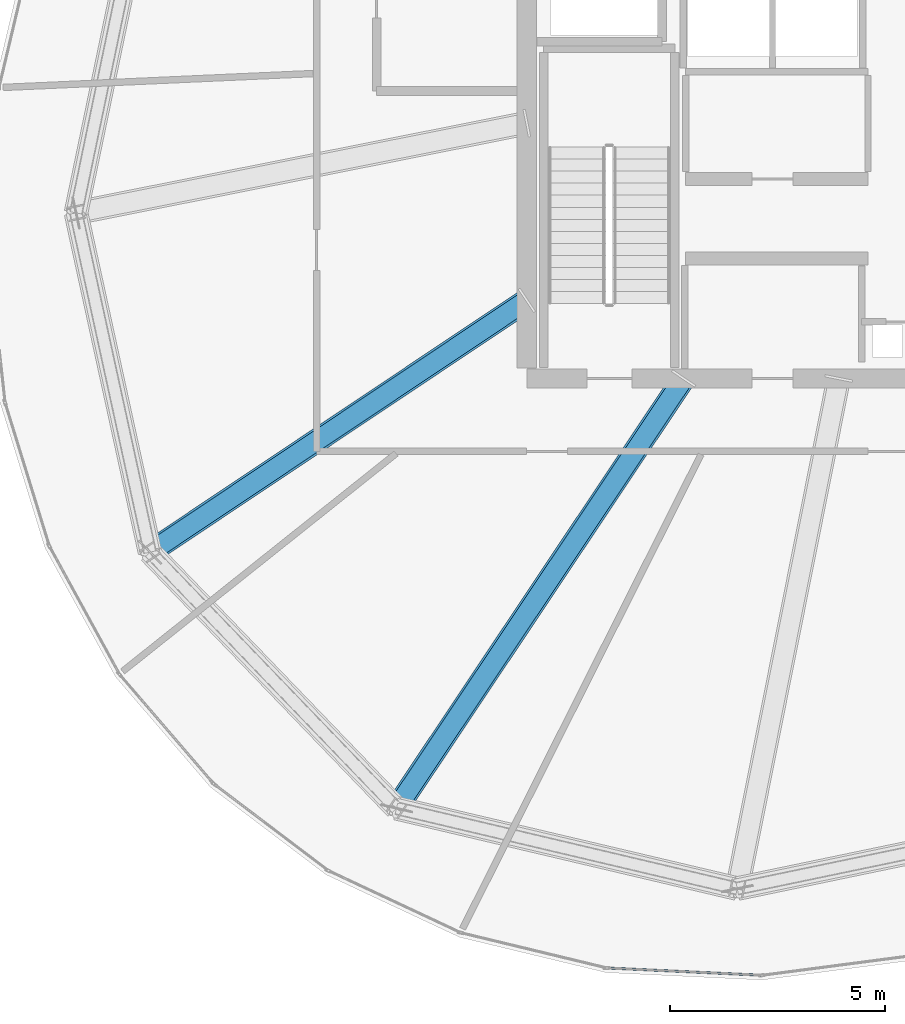
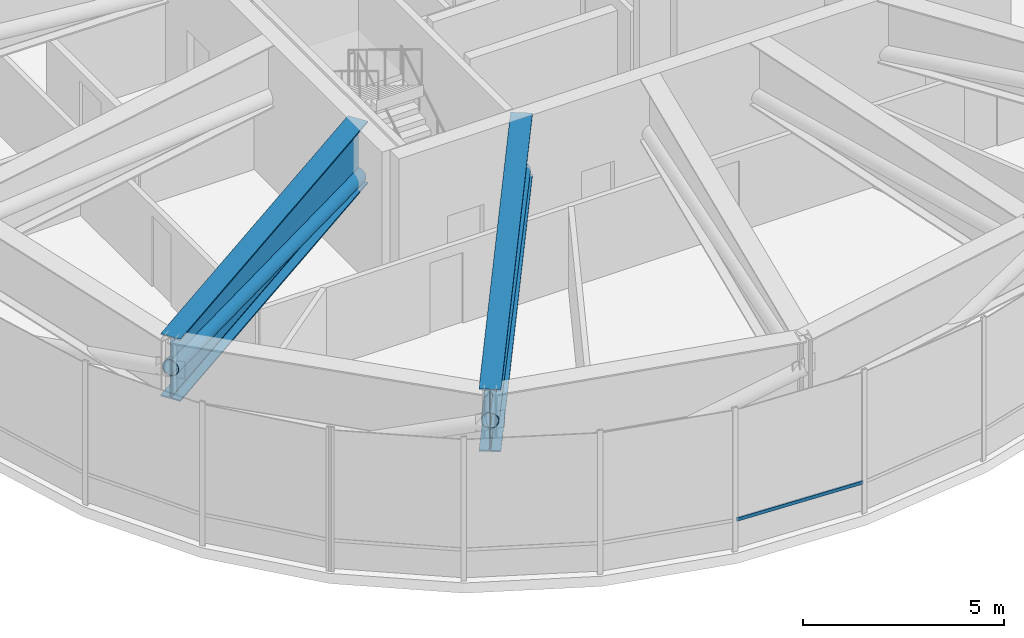
# One storey, part 5 of 26: 3 members, 2 beams, 1 element without a shape of its own.
"""IFC4 building model written with IfcOpenShell, lengths in metres."""

import ifcopenshell
import ifcopenshell.guid

model = None  # the IFC model being written
_history = None  # IfcOwnerHistory: only IFC2X3 demands one
_inside = {}  # id of a spatial element -> (the spatial element, [elements in it])
_under = {}  # id of a project, library or spatial element -> (it, [spatial elements below it])
_declared = {}  # id of a project -> (the project, [libraries it declares])
_typed = {}  # id of a type object -> (the type object, [elements of that type])
_made_of = {}  # id of a material, layer set ... -> (it, [elements and type objects made of it])


def new_model(schema):
    """Start an empty IFC model of exactly this schema.

    Asked for "IFC4X3", IfcOpenShell would pick the latest addendum, in which some entities
    have other attributes; the version numbers below select the first issue.
    IFC2X3 requires an IfcOwnerHistory on every rooted entity: one is made here for all.
    """
    global model, _history
    if schema == "IFC4X3":
        model = ifcopenshell.file(schema_version=(4, 3, 0, 0))
    else:
        model = ifcopenshell.file(schema=schema)
    _inside.clear()
    _under.clear()
    _declared.clear()
    _typed.clear()
    _made_of.clear()
    _history = None
    if model.schema == "IFC2X3":
        org = make("IfcOrganization", Name="unknown")
        user = make(
            "IfcPersonAndOrganization",
            ThePerson=make("IfcPerson", FamilyName="unknown"),
            TheOrganization=org,
        )
        app = make(
            "IfcApplication",
            ApplicationDeveloper=org,
            Version="unknown",
            ApplicationFullName="unknown",
            ApplicationIdentifier="unknown",
        )
        _history = make(
            "IfcOwnerHistory",
            OwningUser=user,
            OwningApplication=app,
            ChangeAction="ADDED",
            CreationDate=0,
        )
    return model


def make(cls, **values):
    """One entity of the class cls with the attributes given. An attribute that is None is left unset."""
    return model.create_entity(
        cls, **{name: value for name, value in values.items() if value is not None}
    )


def rooted(cls, **values):
    """An entity with a GlobalId (a new one), such as an element, a storey or a relation."""
    return make(cls, GlobalId=ifcopenshell.guid.new(), OwnerHistory=_history, **values)


def si_unit(unit_type, name, prefix=None):
    """IfcSIUnit, for example si_unit("LENGTHUNIT", "METRE", prefix="MILLI")."""
    return make("IfcSIUnit", UnitType=unit_type, Prefix=prefix, Name=name)


def assignment(units):
    """IfcUnitAssignment: the units of a project."""
    return None if units is None else make("IfcUnitAssignment", Units=units)


def point(xyz):
    """IfcCartesianPoint."""
    return None if xyz is None else make("IfcCartesianPoint", Coordinates=xyz)


def direction(xyz):
    """IfcDirection."""
    return None if xyz is None else make("IfcDirection", DirectionRatios=xyz)


def frame(location, z_axis=None, x_axis=None):
    """IfcAxis2Placement3D, a coordinate frame: its origin and axes. An axis left out is left unset."""
    return make(
        "IfcAxis2Placement3D",
        Location=point(location),
        Axis=direction(z_axis),
        RefDirection=direction(x_axis),
    )


def frame_2d(location, x_axis=None):
    """IfcAxis2Placement2D, a coordinate frame in the plane: its origin and x axis."""
    return make(
        "IfcAxis2Placement2D", Location=point(location), RefDirection=direction(x_axis)
    )


def origin():
    """The frame at (0, 0, 0) with its axes left unset."""
    return frame((0.0, 0.0, 0.0))


def origin_2d():
    """The frame at (0, 0) in the plane with its x axis left unset."""
    return frame_2d((0.0, 0.0))


def place(relative_to, where):
    """IfcLocalPlacement: puts the frame where relative to a parent placement (None: the world)."""
    return make(
        "IfcLocalPlacement", PlacementRelTo=relative_to, RelativePlacement=where
    )


def context(
    kind, dimensions, precision=None, world=None, true_north=None, identifier=None
):
    """IfcGeometricRepresentationContext, for example the 3D "Model" context."""
    return make(
        "IfcGeometricRepresentationContext",
        ContextIdentifier=identifier,
        ContextType=kind,
        CoordinateSpaceDimension=dimensions,
        Precision=precision,
        WorldCoordinateSystem=world,
        TrueNorth=true_north,
    )


def subcontext(parent, identifier, kind, view, scale=None):
    """IfcGeometricRepresentationSubContext, for example "Body" below "Model"."""
    return make(
        "IfcGeometricRepresentationSubContext",
        ContextIdentifier=identifier,
        ContextType=kind,
        ParentContext=parent,
        TargetScale=scale,
        TargetView=view,
    )


def project(units=None, contexts=None):
    """IfcProject with its units and contexts."""
    return rooted(
        "IfcProject",
        Name="project",
        RepresentationContexts=contexts,
        UnitsInContext=assignment(units),
    )


def spatial(cls, under=None, at=None, **own):
    """A site, building, storey or space (cls), placed at a placement, below another one or the project."""
    s = rooted(cls, ObjectPlacement=at, **own)
    if under is not None:
        _under.setdefault(under.id(), (under, []))[1].append(s)
    return s


def profile(cls, at=None, kind="AREA", **sizes):
    """A parametric profile (cls). Its sizes go by their IFC names, for example OverallWidth=200.0."""
    return make(cls, ProfileType=kind, Position=at, **sizes)


def hollow_rectangle(**sizes):
    """IfcRectangleHollowProfileDef."""
    return profile("IfcRectangleHollowProfileDef", **sizes)


def hollow_circle(**sizes):
    """IfcCircleHollowProfileDef."""
    return profile("IfcCircleHollowProfileDef", **sizes)


def i_section(**sizes):
    """IfcIShapeProfileDef."""
    return profile("IfcIShapeProfileDef", **sizes)


def extrude(swept, where, along, depth):
    """IfcExtrudedAreaSolid: the profile swept, set in the frame where, extruded along a direction by depth."""
    return make(
        "IfcExtrudedAreaSolid",
        SweptArea=swept,
        Position=where,
        ExtrudedDirection=direction(along),
        Depth=depth,
    )


def shape(context_of_items, identifier, shape_type, items):
    """IfcShapeRepresentation: the items that make up one representation, for example the "Body"."""
    return make(
        "IfcShapeRepresentation",
        ContextOfItems=context_of_items,
        RepresentationIdentifier=identifier,
        RepresentationType=shape_type,
        Items=items,
    )


def source(mapping_origin, context_of_items, identifier, shape_type, items):
    """IfcRepresentationMap: a shape defined once, which mapped items show again and again."""
    return make(
        "IfcRepresentationMap",
        MappingOrigin=mapping_origin,
        MappedRepresentation=shape(context_of_items, identifier, shape_type, items),
    )


def transform(
    local_origin,
    x_axis=None,
    y_axis=None,
    z_axis=None,
    scale=None,
    scale2=None,
    scale3=None,
    uniform=True,
):
    """IfcCartesianTransformationOperator3D, or its non-uniform kind. x_axis, y_axis, z_axis: its Axis1, 2, 3."""
    if uniform:
        return make(
            "IfcCartesianTransformationOperator3D",
            Axis1=direction(x_axis),
            Axis2=direction(y_axis),
            LocalOrigin=point(local_origin),
            Scale=scale,
            Axis3=direction(z_axis),
        )
    return make(
        "IfcCartesianTransformationOperator3DnonUniform",
        Axis1=direction(x_axis),
        Axis2=direction(y_axis),
        LocalOrigin=point(local_origin),
        Scale=scale,
        Axis3=direction(z_axis),
        Scale2=scale2,
        Scale3=scale3,
    )


def mapped(mapping_source, mapping_target):
    """IfcMappedItem: shows the shape of a source again, moved by a transform."""
    return make(
        "IfcMappedItem", MappingSource=mapping_source, MappingTarget=mapping_target
    )


def material(Name=None, Category=None):
    """IfcMaterial."""
    return make("IfcMaterial", Name=Name, Category=Category)


def layer(
    of_material, thickness, ventilated=None, Name=None, Category=None, Priority=None
):
    """IfcMaterialLayer: one layer of a wall or slab, of a material (None: an air gap)."""
    return make(
        "IfcMaterialLayer",
        Material=of_material,
        LayerThickness=thickness,
        IsVentilated=ventilated,
        Name=Name,
        Category=Category,
        Priority=Priority,
    )


def layer_set(layers, Name=None):
    """IfcMaterialLayerSet."""
    return make("IfcMaterialLayerSet", MaterialLayers=layers, LayerSetName=Name)


def material_profile(
    of_material, cross_section, Name=None, Category=None, Priority=None
):
    """IfcMaterialProfile: a cross section and its material."""
    return make(
        "IfcMaterialProfile",
        Name=Name,
        Material=of_material,
        Profile=cross_section,
        Priority=Priority,
        Category=Category,
    )


def profile_set(profiles, Name=None, composite=None):
    """IfcMaterialProfileSet."""
    return make(
        "IfcMaterialProfileSet",
        Name=Name,
        MaterialProfiles=profiles,
        CompositeProfile=composite,
    )


def made_of(thing, what):
    """Note that an element or type object is made of a material, layer set ...; save() writes the relation."""
    if what is not None:
        _made_of.setdefault(what.id(), (what, []))[1].append(thing)
    return thing


def type_object(cls, material=None, **own):
    """A type object (cls), such as IfcWallType, which elements share."""
    return made_of(rooted(cls, **own), material)


def element(
    cls,
    number,
    at=None,
    inside=None,
    cuts=None,
    type_object=None,
    material=None,
    context=None,
    identifier="Body",
    shape_type=None,
    held_by="IfcProductDefinitionShape",
    body=None,
    shapes=None,
    **own,
):
    """One element of the class cls, such as IfcWall. Its Tag is "e" and its number.

    at: its placement. inside: the storey or other place that contains it. cuts: it is an
    opening in that element (IfcRelVoidsElement). A single representation is given by context,
    identifier, shape_type and body (its items); several are given by shapes. held_by: the class
    of the entity that holds the representations. save() writes the other relations.
    """
    e = rooted(cls, Tag="e%d" % number, ObjectPlacement=at, **own)
    if body is not None:
        shapes = [shape(context, identifier, shape_type, body)]
    if shapes is not None:
        e.Representation = make(held_by, Representations=shapes)
    if inside is not None:
        _inside.setdefault(inside.id(), (inside, []))[1].append(e)
    if cuts is not None:
        rooted(
            "IfcRelVoidsElement", RelatingBuildingElement=cuts, RelatedOpeningElement=e
        )
    if type_object is not None:
        _typed.setdefault(type_object.id(), (type_object, []))[1].append(e)
    return made_of(e, material)


def aggregate(whole, parts):
    """IfcRelAggregates: a whole, such as a stair, and the parts it consists of."""
    return rooted("IfcRelAggregates", RelatingObject=whole, RelatedObjects=parts)


def save(model, path):
    """Write the relations noted so far, then the file.

    IfcRelAggregates (storeys below a building ...), IfcRelContainedInSpatialStructure (elements
    in a storey), IfcRelDefinesByType, IfcRelAssociatesMaterial and IfcRelDeclares: one each for
    every whole, place, type object, material and project.
    """
    for whole, parts in _under.values():
        aggregate(whole, parts)
    for where, things in _inside.values():
        rooted(
            "IfcRelContainedInSpatialStructure",
            RelatedElements=things,
            RelatingStructure=where,
        )
    for kind, things in _typed.values():
        rooted("IfcRelDefinesByType", RelatedObjects=things, RelatingType=kind)
    for what, things in _made_of.values():
        rooted("IfcRelAssociatesMaterial", RelatedObjects=things, RelatingMaterial=what)
    for by, libraries in _declared.values():
        rooted("IfcRelDeclares", RelatingContext=by, RelatedDefinitions=libraries)
    model.write(path)


model = new_model("IFC4")

# Units and contexts
model_context = context("Model", 3, precision=1e-05, world=origin(), true_north=direction((0.0, 1.0)))
body_context = subcontext(model_context, "Body", "Model", "MODEL_VIEW")
ifc_project = project(units=[si_unit("LENGTHUNIT", "METRE"), si_unit("AREAUNIT", "SQUARE_METRE"), si_unit("VOLUMEUNIT", "CUBIC_METRE"), si_unit("PLANEANGLEUNIT", "RADIAN"), si_unit("MASSUNIT", "GRAM", prefix="KILO"), si_unit("THERMODYNAMICTEMPERATUREUNIT", "KELVIN")], contexts=[model_context])

# Site, building, storey
site_placement = place(None, origin())
site = spatial("IfcSite", under=ifc_project, at=site_placement, CompositionType="ELEMENT")
building_placement = place(site_placement, origin())
building = spatial("IfcBuilding", under=site, at=building_placement, Name="Kethvar Cultural Tower", CompositionType="ELEMENT")
storey_placement = place(building_placement, frame((0.0, 0.0, 223.60009765625)))
storey = spatial("IfcBuildingStorey", under=building, at=storey_placement, Name="L58", CompositionType="ELEMENT", Elevation=223.60009765625)

# Beam
ifc_material_1 = material(Name="Steel S460M", Category="steel")
ifc_material_profile_1 = material_profile(ifc_material_1, i_section(OverallWidth=0.550048828125, OverallDepth=1.89990234375, WebThickness=0.02490234375, FlangeThickness=0.0400390625, FilletRadius=0.02001953125, at=origin_2d()), Name="Steel S460M — PG1900x550x40x25")
ifc_profile_set_1 = profile_set([ifc_material_profile_1], Name="Steel S460M — PG1900x550x40x25")
beam_type = type_object("IfcBeamType", Name="BM-TR1900", PredefinedType="BEAM", material=ifc_profile_set_1)
shared_shape_1 = source(origin(), body_context, "Body", "SweptSolid", [
    extrude(i_section(OverallWidth=0.550048828125, OverallDepth=1.89990234375, WebThickness=0.02490234375, FlangeThickness=0.0400390625, FilletRadius=0.02001953125, at=origin_2d()), origin(), (0.0, 0.0, 1.0), 10.562744140625),
])
beam_1_placement = place(storey_placement, frame((38.0, 21.920166015625, 3.427978515625), z_axis=(-0.831463100754, -0.555579978117, 0.0), x_axis=(0.555579978117, -0.831463100754, 0.0)))
element("IfcBeam", 1, at=beam_1_placement, inside=storey, type_object=beam_type, Name="L58 Outrigger Transfer Girder OG-10", PredefinedType="BEAM", context=body_context, shape_type="MappedRepresentation", body=[
    mapped(shared_shape_1, transform((0.0, 0.0, 0.0), scale=1.0)),
])

# Member
ifc_material_2 = material(Name="Steel S355J2", Category="steel")
ifc_material_profile_2 = material_profile(ifc_material_2, hollow_circle(Radius=0.228515625, WallThickness=0.01611328125, at=origin_2d()), Name="Steel S355J2 — CHS457x16")
ifc_profile_set_2 = profile_set([ifc_material_profile_2], Name="Steel S355J2 — CHS457x16")
member_type_1 = type_object("IfcMemberType", Name="MB-OUT-457", PredefinedType="BRACE", material=ifc_profile_set_2)
shared_shape_2 = source(origin(), body_context, "Body", "SweptSolid", [
    extrude(hollow_circle(Radius=0.228515625, WallThickness=0.01611328125, at=origin_2d()), origin(), (0.0, 0.0, 1.0), 10.59130859375),
])
member_1_placement = place(storey_placement, frame((38.0, 21.920166015625, 2.64990234375), z_axis=(-0.829216392361, -0.554078737475, 0.073463782349), x_axis=(0.555579978117, -0.831463100754, 0.0)))
element("IfcMember", 2, at=member_1_placement, inside=storey, type_object=member_type_1, Name="L58 Outrigger Truss Diagonal OB-10", PredefinedType="BRACE", context=body_context, shape_type="MappedRepresentation", body=[
    mapped(shared_shape_2, transform((0.0, 0.0, 0.0), scale=1.0)),
])

# Beam
shared_shape_3 = source(origin(), body_context, "Body", "SweptSolid", [
    extrude(i_section(OverallWidth=0.550048828125, OverallDepth=1.89990234375, WebThickness=0.02490234375, FlangeThickness=0.0400390625, FilletRadius=0.02001953125, at=origin_2d()), origin(), (0.0, 0.0, 1.0), 12.0458984375),
])
beam_2_placement = place(storey_placement, frame((41.655029296875, 20.10009765625, 3.427978515625), z_axis=(-0.555569831996, -0.831469880258, 0.0), x_axis=(0.831469880258, -0.555569831996, 0.0)))
element("IfcBeam", 3, at=beam_2_placement, inside=storey, type_object=beam_type, Name="L58 Outrigger Transfer Girder OG-11", PredefinedType="BEAM", context=body_context, shape_type="MappedRepresentation", body=[
    mapped(shared_shape_3, transform((0.0, 0.0, 0.0), scale=1.0)),
])

# Member
shared_shape_4 = source(origin(), body_context, "Body", "SweptSolid", [
    extrude(hollow_circle(Radius=0.228515625, WallThickness=0.01611328125, at=origin_2d()), origin(), (0.0, 0.0, 1.0), 12.071044921875),
])
member_2_placement = place(storey_placement, frame((41.655029296875, 20.10009765625, 2.64990234375), z_axis=(-0.55441448541, -0.829740780094, 0.064457863892), x_axis=(0.831469880258, -0.555569831996, 0.0)))
element("IfcMember", 4, at=member_2_placement, inside=storey, type_object=member_type_1, Name="L58 Outrigger Truss Diagonal OB-11", PredefinedType="BRACE", context=body_context, shape_type="MappedRepresentation", body=[
    mapped(shared_shape_4, transform((0.0, 0.0, 0.0), scale=1.0)),
])

# Curtain wall, member
ifc_material_3 = material(Name="Aluminium 6063-T6", Category="aluminium")
ifc_layer = layer(ifc_material_3, 0.179931640625, Name="Aluminium 6063-T6", Category="aluminium")
ifc_layer_set = layer_set([ifc_layer], Name="Aluminium 6063-T6 (180 mm)")
curtain_wall_type = type_object("IfcCurtainWallType", Name="CW-SYS-04-Z34", PredefinedType="NOTDEFINED", material=ifc_layer_set)
curtain_wall_placement = place(storey_placement, origin())
curtain_wall = element("IfcCurtainWall", 5, at=curtain_wall_placement, inside=storey, type_object=curtain_wall_type, Name="L58 Curtain Wall Run 04", PredefinedType="NOTDEFINED")
ifc_material_profile_3 = material_profile(ifc_material_3, hollow_rectangle(XDim=0.050048828125, YDim=0.10009765625, WallThickness=0.00390625, at=origin_2d()), Name="Aluminium 6063-T6 — RHS100x50x4")
ifc_profile_set_3 = profile_set([ifc_material_profile_3], Name="Aluminium 6063-T6 — RHS100x50x4")
member_type_2 = type_object("IfcMemberType", Name="CW-SYS-04-Z34-TRN", PredefinedType="USERDEFINED", material=ifc_profile_set_3)
shared_shape_5 = source(origin(), body_context, "Body", "SweptSolid", [
    extrude(hollow_rectangle(XDim=0.050048828125, YDim=0.10009765625, WallThickness=0.00390625, at=origin_2d()), origin(), (0.0, 0.0, 1.0), 3.55126953125),
])
member_3_placement = place(storey_placement, frame((39.900146484375, 6.360107421875, 0.949951171875), z_axis=(0.998893809574, -0.047022943272, 0.0), x_axis=(0.047022943272, 0.998893809574, 0.0)))
member_3 = element("IfcMember", 6, at=member_3_placement, type_object=member_type_2, Name="CW-L58-R04 Transom 4", ObjectType="TRANSOM", PredefinedType="USERDEFINED", context=body_context, shape_type="MappedRepresentation", body=[
    mapped(shared_shape_5, transform((0.0, 0.0, 0.0), scale=1.0)),
])
aggregate(curtain_wall, [member_3])

save(model, "model.ifc")
